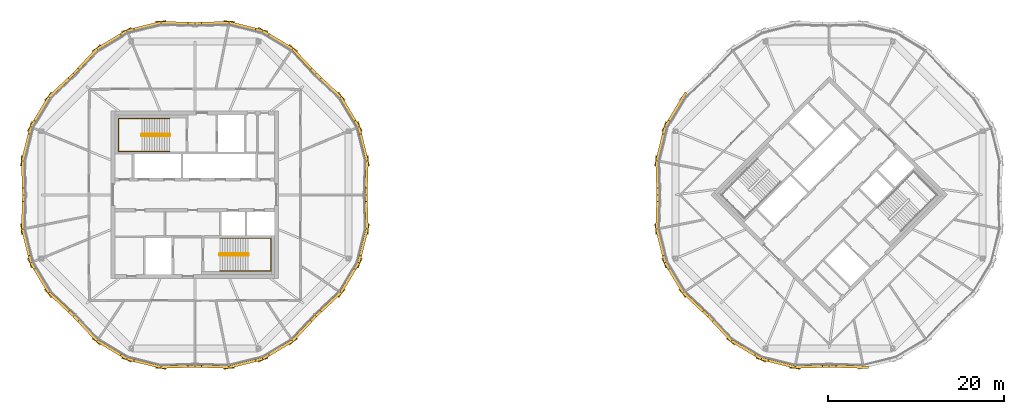
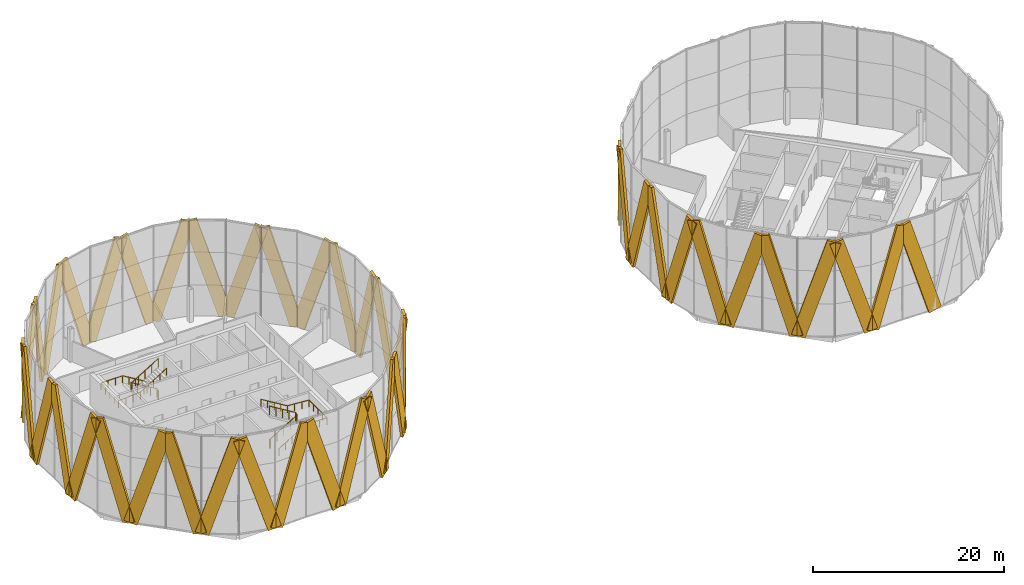
# One storey, part 22 of 23: 44 coverings, 4 railings.
"""IFC4 building model written with IfcOpenShell, lengths in metres."""

from ifc_helpers import new_model, si_unit, direction, frame, origin, origin_2d, place, context, subcontext, project, spatial, rectangle, circle, extrude, material, material_profile, profile_set, type_object, element, save


model = new_model("IFC4")

# Units and contexts
model_context = context("Model", 3, precision=1e-05, world=origin(), true_north=direction((0.0, 1.0)))
body_context = subcontext(model_context, "Body", "Model", "MODEL_VIEW")
ifc_project = project(units=[si_unit("LENGTHUNIT", "METRE"), si_unit("AREAUNIT", "SQUARE_METRE"), si_unit("VOLUMEUNIT", "CUBIC_METRE"), si_unit("PLANEANGLEUNIT", "RADIAN"), si_unit("MASSUNIT", "GRAM", prefix="KILO")], contexts=[model_context])

# Site, building, storey
site_placement = place(None, origin())
site = spatial("IfcSite", under=ifc_project, at=site_placement, CompositionType="ELEMENT")
building_placement = place(site_placement, origin())
building = spatial("IfcBuilding", under=site, at=building_placement, Name="Ogive Gate Towers", CompositionType="ELEMENT")
storey_placement = place(building_placement, frame((0.0, 0.0, 256.199951171875)))
storey = spatial("IfcBuildingStorey", under=building, at=storey_placement, Name="L60", CompositionType="ELEMENT", Elevation=256.199951171875)

# Coverings
ifc_material_1 = material(Name="Pale metal aluminium", Category="aluminium")
ifc_material_profile = material_profile(ifc_material_1, rectangle(XDim=0.300048828125, YDim=1.5, at=origin_2d()), Name="1500 x 300 pale metal aluminium")
ifc_profile_set = profile_set([ifc_material_profile], Name="Pale metal aluminium")
covering_type = type_object("IfcCoveringType", Name="Facade fin 1500 x 300", PredefinedType="CLADDING", material=ifc_profile_set)
covering_1_placement = place(storey_placement, frame((-16.448486328125, 3.759521484375, -0.02978515625), z_axis=(-0.009463680043, -0.293257962567, 0.955986509398), x_axis=(0.99947970287, -0.032254047034, 0.0)))
element("IfcCovering", 1, at=covering_1_placement, inside=storey, type_object=covering_type, Name="Facade fin", PredefinedType="CLADDING", context=body_context, shape_type="SweptSolid", body=[
    extrude(rectangle(XDim=0.300048828125, YDim=1.5, at=origin_2d()), origin(), (0.0, 0.0, 1.0), 12.614990234375),
])
for number, where, z_axis, x_axis, name in (
    (2, (-16.4697265625, 3.957275390625, -0.02685546875), (-0.071605059781, 0.288798695064, 0.954708347687), (-0.970610891507, -0.240654310763, 0.0), "Facade fin"),
    (3, (-19.391845703125, 11.01171875, -0.02685546875), (0.153593798396, -0.254842335272, 0.954706409975), (0.856470551923, 0.516195886935, 0.0), "Facade fin"),
):
    element("IfcCovering", number, at=place(storey_placement, frame(where, z_axis=z_axis, x_axis=x_axis)), inside=storey, type_object=covering_type, Name=name, PredefinedType="CLADDING", context=body_context, shape_type="SweptSolid", body=[
        extrude(rectangle(XDim=0.300048828125, YDim=1.5, at=origin_2d()), origin(), (0.0, 0.0, 1.0), 12.62548828125),
    ])
for number, where, z_axis, x_axis, name in (
    (4, (-19.5166015625, 11.166748046875, -0.02978515625), (-0.214046948977, 0.200654499728, 0.955992508011), (-0.68391479769, -0.729561888739, 0.0), "Facade fin"),
    (5, (-24.833251953125, 16.4833984375, -0.02978515625), (0.200654499728, -0.214046948977, 0.955992508011), (0.729561888739, 0.68391479769, 0.0), "Facade fin"),
):
    element("IfcCovering", number, at=place(storey_placement, frame(where, z_axis=z_axis, x_axis=x_axis)), inside=storey, type_object=covering_type, Name=name, PredefinedType="CLADDING", context=body_context, shape_type="SweptSolid", body=[
        extrude(rectangle(XDim=0.300048828125, YDim=1.5, at=origin_2d()), origin(), (0.0, 0.0, 1.0), 12.614990234375),
    ])
for number, where, z_axis, x_axis, name in (
    (6, (-24.98828125, 16.608154296875, -0.02685546875), (-0.254842335272, 0.153593798396, 0.954706409975), (-0.516195886935, -0.856470551923, 0.0), "Facade fin"),
    (7, (-32.042724609375, 19.5302734375, -0.02685546875), (0.288798695064, -0.071605059781, 0.954708347687), (0.240654310763, 0.970610891507, 0.0), "Facade fin"),
):
    element("IfcCovering", number, at=place(storey_placement, frame(where, z_axis=z_axis, x_axis=x_axis)), inside=storey, type_object=covering_type, Name=name, PredefinedType="CLADDING", context=body_context, shape_type="SweptSolid", body=[
        extrude(rectangle(XDim=0.300048828125, YDim=1.5, at=origin_2d()), origin(), (0.0, 0.0, 1.0), 12.62548828125),
    ])
for number, where, z_axis, x_axis, name in (
    (8, (-32.240478515625, 19.551513671875, -0.02978515625), (-0.293257962567, -0.009463680043, 0.955986509398), (0.032254047034, -0.99947970287, 0.0), "Facade fin"),
    (9, (-39.759521484375, 19.551513671875, -0.02978515625), (0.293257962567, -0.009463680043, 0.955986509398), (0.032254047034, 0.99947970287, 0.0), "Facade fin"),
):
    element("IfcCovering", number, at=place(storey_placement, frame(where, z_axis=z_axis, x_axis=x_axis)), inside=storey, type_object=covering_type, Name=name, PredefinedType="CLADDING", context=body_context, shape_type="SweptSolid", body=[
        extrude(rectangle(XDim=0.300048828125, YDim=1.5, at=origin_2d()), origin(), (0.0, 0.0, 1.0), 12.614990234375),
    ])
for number, where, z_axis, x_axis, name in (
    (10, (-39.957275390625, 19.5302734375, -0.02685546875), (-0.288798695064, -0.071605059781, 0.954708347687), (0.240654310763, -0.970610891507, 0.0), "Facade fin"),
    (11, (-47.01171875, 16.608154296875, -0.02685546875), (0.254842335272, 0.153593798396, 0.954706409975), (-0.516195886935, 0.856470551923, 0.0), "Facade fin"),
):
    element("IfcCovering", number, at=place(storey_placement, frame(where, z_axis=z_axis, x_axis=x_axis)), inside=storey, type_object=covering_type, Name=name, PredefinedType="CLADDING", context=body_context, shape_type="SweptSolid", body=[
        extrude(rectangle(XDim=0.300048828125, YDim=1.5, at=origin_2d()), origin(), (0.0, 0.0, 1.0), 12.62548828125),
    ])
for number, where, z_axis, x_axis, name in (
    (12, (-47.166748046875, 16.4833984375, -0.02978515625), (-0.200654499728, -0.214046948977, 0.955992508011), (0.729561888739, -0.68391479769, 0.0), "Facade fin"),
    (13, (-52.4833984375, 11.166748046875, -0.02978515625), (0.214046948977, 0.200654499728, 0.955992508011), (-0.68391479769, 0.729561888739, 0.0), "Facade fin"),
):
    element("IfcCovering", number, at=place(storey_placement, frame(where, z_axis=z_axis, x_axis=x_axis)), inside=storey, type_object=covering_type, Name=name, PredefinedType="CLADDING", context=body_context, shape_type="SweptSolid", body=[
        extrude(rectangle(XDim=0.300048828125, YDim=1.5, at=origin_2d()), origin(), (0.0, 0.0, 1.0), 12.614990234375),
    ])
for number, where, z_axis, x_axis, name in (
    (14, (-52.608154296875, 11.01171875, -0.02685546875), (-0.153593798396, -0.254842335272, 0.954706409975), (0.856470551923, -0.516195886935, 0.0), "Facade fin"),
    (15, (-55.5302734375, 3.957275390625, -0.02685546875), (0.071605059781, 0.288798695064, 0.954708347687), (-0.970610891507, 0.240654310763, 0.0), "Facade fin"),
):
    element("IfcCovering", number, at=place(storey_placement, frame(where, z_axis=z_axis, x_axis=x_axis)), inside=storey, type_object=covering_type, Name=name, PredefinedType="CLADDING", context=body_context, shape_type="SweptSolid", body=[
        extrude(rectangle(XDim=0.300048828125, YDim=1.5, at=origin_2d()), origin(), (0.0, 0.0, 1.0), 12.62548828125),
    ])
for number, where, z_axis, x_axis, name in (
    (16, (-55.551513671875, 3.759521484375, -0.02978515625), (0.009463680043, -0.293257962567, 0.955986509398), (0.99947970287, 0.032254047034, 0.0), "Facade fin"),
    (17, (-55.551513671875, -3.759521484375, -0.02978515625), (0.009463680043, 0.293257962567, 0.955986509398), (-0.99947970287, 0.032254047034, 0.0), "Facade fin"),
):
    element("IfcCovering", number, at=place(storey_placement, frame(where, z_axis=z_axis, x_axis=x_axis)), inside=storey, type_object=covering_type, Name=name, PredefinedType="CLADDING", context=body_context, shape_type="SweptSolid", body=[
        extrude(rectangle(XDim=0.300048828125, YDim=1.5, at=origin_2d()), origin(), (0.0, 0.0, 1.0), 12.614990234375),
    ])
for number, where, z_axis, x_axis, name in (
    (18, (-55.5302734375, -3.957275390625, -0.02685546875), (0.071605059781, -0.288798695064, 0.954708347687), (0.970610891507, 0.240654310763, 0.0), "Facade fin"),
    (19, (-52.608154296875, -11.01171875, -0.02685546875), (-0.153593798396, 0.254842335272, 0.954706409975), (-0.856470551923, -0.516195886935, 0.0), "Facade fin"),
):
    element("IfcCovering", number, at=place(storey_placement, frame(where, z_axis=z_axis, x_axis=x_axis)), inside=storey, type_object=covering_type, Name=name, PredefinedType="CLADDING", context=body_context, shape_type="SweptSolid", body=[
        extrude(rectangle(XDim=0.300048828125, YDim=1.5, at=origin_2d()), origin(), (0.0, 0.0, 1.0), 12.62548828125),
    ])
for number, where, z_axis, x_axis, name in (
    (20, (-52.4833984375, -11.166748046875, -0.02978515625), (0.214046948977, -0.200654499728, 0.955992508011), (0.68391479769, 0.729561888739, 0.0), "Facade fin"),
    (21, (-47.166748046875, -16.4833984375, -0.02978515625), (-0.200654499728, 0.214046948977, 0.955992508011), (-0.729561888739, -0.68391479769, 0.0), "Facade fin"),
):
    element("IfcCovering", number, at=place(storey_placement, frame(where, z_axis=z_axis, x_axis=x_axis)), inside=storey, type_object=covering_type, Name=name, PredefinedType="CLADDING", context=body_context, shape_type="SweptSolid", body=[
        extrude(rectangle(XDim=0.300048828125, YDim=1.5, at=origin_2d()), origin(), (0.0, 0.0, 1.0), 12.614990234375),
    ])
for number, where, z_axis, x_axis, name in (
    (22, (-47.01171875, -16.608154296875, -0.02685546875), (0.254842335272, -0.153593798396, 0.954706409975), (0.516195886935, 0.856470551923, 0.0), "Facade fin"),
    (23, (-39.957275390625, -19.5302734375, -0.02685546875), (-0.288798695064, 0.071605059781, 0.954708347687), (-0.240654310763, -0.970610891507, 0.0), "Facade fin"),
):
    element("IfcCovering", number, at=place(storey_placement, frame(where, z_axis=z_axis, x_axis=x_axis)), inside=storey, type_object=covering_type, Name=name, PredefinedType="CLADDING", context=body_context, shape_type="SweptSolid", body=[
        extrude(rectangle(XDim=0.300048828125, YDim=1.5, at=origin_2d()), origin(), (0.0, 0.0, 1.0), 12.62548828125),
    ])
for number, where, z_axis, x_axis, name in (
    (24, (-39.759521484375, -19.551513671875, -0.02978515625), (0.293257962567, 0.009463680043, 0.955986509398), (-0.032254047034, 0.99947970287, 0.0), "Facade fin"),
    (25, (-32.240478515625, -19.551513671875, -0.02978515625), (-0.293257962567, 0.009463680043, 0.955986509398), (-0.032254047034, -0.99947970287, 0.0), "Facade fin"),
):
    element("IfcCovering", number, at=place(storey_placement, frame(where, z_axis=z_axis, x_axis=x_axis)), inside=storey, type_object=covering_type, Name=name, PredefinedType="CLADDING", context=body_context, shape_type="SweptSolid", body=[
        extrude(rectangle(XDim=0.300048828125, YDim=1.5, at=origin_2d()), origin(), (0.0, 0.0, 1.0), 12.614990234375),
    ])
for number, where, z_axis, x_axis, name in (
    (26, (-32.042724609375, -19.5302734375, -0.02685546875), (0.288798695064, 0.071605059781, 0.954708347687), (-0.240654310763, 0.970610891507, 0.0), "Facade fin"),
    (27, (-24.98828125, -16.608154296875, -0.02685546875), (-0.254842335272, -0.153593798396, 0.954706409975), (0.516195886935, -0.856470551923, 0.0), "Facade fin"),
):
    element("IfcCovering", number, at=place(storey_placement, frame(where, z_axis=z_axis, x_axis=x_axis)), inside=storey, type_object=covering_type, Name=name, PredefinedType="CLADDING", context=body_context, shape_type="SweptSolid", body=[
        extrude(rectangle(XDim=0.300048828125, YDim=1.5, at=origin_2d()), origin(), (0.0, 0.0, 1.0), 12.62548828125),
    ])
for number, where, z_axis, x_axis, name in (
    (28, (-24.833251953125, -16.4833984375, -0.02978515625), (0.200654499728, 0.214046948977, 0.955992508011), (-0.729561888739, 0.68391479769, 0.0), "Facade fin"),
    (29, (-19.5166015625, -11.166748046875, -0.02978515625), (-0.214046948977, -0.200654499728, 0.955992508011), (0.68391479769, -0.729561888739, 0.0), "Facade fin"),
):
    element("IfcCovering", number, at=place(storey_placement, frame(where, z_axis=z_axis, x_axis=x_axis)), inside=storey, type_object=covering_type, Name=name, PredefinedType="CLADDING", context=body_context, shape_type="SweptSolid", body=[
        extrude(rectangle(XDim=0.300048828125, YDim=1.5, at=origin_2d()), origin(), (0.0, 0.0, 1.0), 12.614990234375),
    ])
for number, where, z_axis, x_axis, name in (
    (30, (-19.391845703125, -11.01171875, -0.02685546875), (0.153593798396, 0.254842335272, 0.954706409975), (-0.856470551923, 0.516195886935, 0.0), "Facade fin"),
    (31, (-16.4697265625, -3.957275390625, -0.02685546875), (-0.071605059781, -0.288798695064, 0.954708347687), (0.970610891507, -0.240654310763, 0.0), "Facade fin"),
):
    element("IfcCovering", number, at=place(storey_placement, frame(where, z_axis=z_axis, x_axis=x_axis)), inside=storey, type_object=covering_type, Name=name, PredefinedType="CLADDING", context=body_context, shape_type="SweptSolid", body=[
        extrude(rectangle(XDim=0.300048828125, YDim=1.5, at=origin_2d()), origin(), (0.0, 0.0, 1.0), 12.62548828125),
    ])
covering_2_placement = place(storey_placement, frame((-16.448486328125, -3.759521484375, -0.02978515625), z_axis=(-0.009463680043, 0.293257962567, 0.955986509398), x_axis=(-0.99947970287, -0.032254047034, 0.0)))
element("IfcCovering", 32, at=covering_2_placement, inside=storey, type_object=covering_type, Name="Facade fin", PredefinedType="CLADDING", context=body_context, shape_type="SweptSolid", body=[
    extrude(rectangle(XDim=0.300048828125, YDim=1.5, at=origin_2d()), origin(), (0.0, 0.0, 1.0), 12.614990234375),
])
for number, where, z_axis, x_axis, name in (
    (33, (19.391845703125, 11.01171875, -0.02685546875), (-0.153593798396, -0.254842335272, 0.954706409975), (0.856470551923, -0.516195886935, 0.0), "Facade fin"),
    (34, (16.4697265625, 3.957275390625, -0.02685546875), (0.071605059781, 0.288798695064, 0.954708347687), (-0.970610891507, 0.240654310763, 0.0), "Facade fin"),
):
    element("IfcCovering", number, at=place(storey_placement, frame(where, z_axis=z_axis, x_axis=x_axis)), inside=storey, type_object=covering_type, Name=name, PredefinedType="CLADDING", context=body_context, shape_type="SweptSolid", body=[
        extrude(rectangle(XDim=0.300048828125, YDim=1.5, at=origin_2d()), origin(), (0.0, 0.0, 1.0), 12.62548828125),
    ])
for number, where, z_axis, x_axis, name in (
    (35, (16.448486328125, 3.759521484375, -0.02978515625), (0.009463680043, -0.293257962567, 0.955986509398), (0.99947970287, 0.032254047034, 0.0), "Facade fin"),
    (36, (16.448486328125, -3.759521484375, -0.02978515625), (0.009463680043, 0.293257962567, 0.955986509398), (-0.99947970287, 0.032254047034, 0.0), "Facade fin"),
):
    element("IfcCovering", number, at=place(storey_placement, frame(where, z_axis=z_axis, x_axis=x_axis)), inside=storey, type_object=covering_type, Name=name, PredefinedType="CLADDING", context=body_context, shape_type="SweptSolid", body=[
        extrude(rectangle(XDim=0.300048828125, YDim=1.5, at=origin_2d()), origin(), (0.0, 0.0, 1.0), 12.614990234375),
    ])
for number, where, z_axis, x_axis, name in (
    (37, (16.4697265625, -3.957275390625, -0.02685546875), (0.071605059781, -0.288798695064, 0.954708347687), (0.970610891507, 0.240654310763, 0.0), "Facade fin"),
    (38, (19.391845703125, -11.01171875, -0.02685546875), (-0.153593798396, 0.254842335272, 0.954706409975), (-0.856470551923, -0.516195886935, 0.0), "Facade fin"),
):
    element("IfcCovering", number, at=place(storey_placement, frame(where, z_axis=z_axis, x_axis=x_axis)), inside=storey, type_object=covering_type, Name=name, PredefinedType="CLADDING", context=body_context, shape_type="SweptSolid", body=[
        extrude(rectangle(XDim=0.300048828125, YDim=1.5, at=origin_2d()), origin(), (0.0, 0.0, 1.0), 12.62548828125),
    ])
for number, where, z_axis, x_axis, name in (
    (39, (19.5166015625, -11.166748046875, -0.02978515625), (0.214046948977, -0.200654499728, 0.955992508011), (0.68391479769, 0.729561888739, 0.0), "Facade fin"),
    (40, (24.833251953125, -16.4833984375, -0.02978515625), (-0.200654499728, 0.214046948977, 0.955992508011), (-0.729561888739, -0.68391479769, 0.0), "Facade fin"),
):
    element("IfcCovering", number, at=place(storey_placement, frame(where, z_axis=z_axis, x_axis=x_axis)), inside=storey, type_object=covering_type, Name=name, PredefinedType="CLADDING", context=body_context, shape_type="SweptSolid", body=[
        extrude(rectangle(XDim=0.300048828125, YDim=1.5, at=origin_2d()), origin(), (0.0, 0.0, 1.0), 12.614990234375),
    ])
for number, where, z_axis, x_axis, name in (
    (41, (24.98828125, -16.608154296875, -0.02685546875), (0.254842335272, -0.153593798396, 0.954706409975), (0.516195886935, 0.856470551923, 0.0), "Facade fin"),
    (42, (32.042724609375, -19.5302734375, -0.02685546875), (-0.288798695064, 0.071605059781, 0.954708347687), (-0.240654310763, -0.970610891507, 0.0), "Facade fin"),
):
    element("IfcCovering", number, at=place(storey_placement, frame(where, z_axis=z_axis, x_axis=x_axis)), inside=storey, type_object=covering_type, Name=name, PredefinedType="CLADDING", context=body_context, shape_type="SweptSolid", body=[
        extrude(rectangle(XDim=0.300048828125, YDim=1.5, at=origin_2d()), origin(), (0.0, 0.0, 1.0), 12.62548828125),
    ])
for number, where, z_axis, x_axis, name in (
    (43, (32.240478515625, -19.551513671875, -0.02978515625), (0.293257962567, 0.009463680043, 0.955986509398), (-0.032254047034, 0.99947970287, 0.0), "Facade fin"),
    (44, (39.759521484375, -19.551513671875, -0.02978515625), (-0.293257962567, 0.009463680043, 0.955986509398), (-0.032254047034, -0.99947970287, 0.0), "Facade fin"),
):
    element("IfcCovering", number, at=place(storey_placement, frame(where, z_axis=z_axis, x_axis=x_axis)), inside=storey, type_object=covering_type, Name=name, PredefinedType="CLADDING", context=body_context, shape_type="SweptSolid", body=[
        extrude(rectangle(XDim=0.300048828125, YDim=1.5, at=origin_2d()), origin(), (0.0, 0.0, 1.0), 12.614990234375),
    ])

# Railings
ifc_material_2 = material(Name="Stainless steel", Category="steel")
railing_type_1 = type_object("IfcRailingType", Name="Stair guard 1100", PredefinedType="GUARDRAIL", material=ifc_material_2)
railing_1_placement = place(storey_placement, frame((-38.81494140625, 6.860107421875, 0.0)))
element("IfcRailing", 45, at=railing_1_placement, inside=storey, type_object=railing_type_1, Name="L60 ST1 stair guard 1", PredefinedType="GUARDRAIL", context=body_context, shape_type="SweptSolid", body=[
    extrude(circle(Radius=0.02392578125, at=origin_2d()), frame((0.0, 0.0, 1.076171875), z_axis=(0.0, -1.0, 0.0), x_axis=(1.0, 0.0, 0.0)), (0.0, 0.0, 1.0), 0.14501953125),
    extrude(circle(Radius=0.02392578125, at=origin_2d()), frame((0.0, -0.14501953125, 1.076171875), z_axis=(-0.187693211448, 0.730630159683, 0.656468451746), x_axis=(-0.968551454522, -0.24881334358, 0.0)), (0.0, 0.0, 1.0), 0.2666015625),
    extrude(circle(Radius=0.02392578125, at=origin_2d()), frame((-0.050048828125, 0.0498046875, 1.2509765625), z_axis=(-0.854199828955, 0.0, 0.519944854973), x_axis=(0.0, -1.0, 0.0)), (0.0, 0.0, 1.0), 3.702392578125),
    extrude(circle(Radius=0.02392578125, at=origin_2d()), frame((-3.212646484375, 0.0498046875, 3.17626953125), z_axis=(-0.707106781187, -0.707106781187, 0.0), x_axis=(0.707106781187, -0.707106781187, 0.0)), (0.0, 0.0, 1.0), 0.0703125),
    extrude(circle(Radius=0.02392578125, at=origin_2d()), frame((-3.262451171875, 0.0, 3.17626953125), z_axis=(0.0, -1.0, 0.0), x_axis=(1.0, 0.0, 0.0)), (0.0, 0.0, 1.0), 0.14501953125),
    extrude(circle(Radius=0.02392578125, at=origin_2d()), frame((-3.262451171875, -0.14501953125, 3.17626953125), z_axis=(0.263862480399, -0.265155923931, 0.927399011991), x_axis=(0.708833529934, 0.705375805398, 0.0)), (0.0, 0.0, 1.0), 0.188720703125),
    extrude(circle(Radius=0.02392578125, at=origin_2d()), frame((-3.212646484375, -0.195068359375, 3.35107421875), z_axis=(0.854229115434, 0.0, 0.519896738156), x_axis=(0.0, 1.0, 0.0)), (0.0, 0.0, 1.0), 3.702392578125),
    extrude(circle(Radius=0.02099609375, at=origin_2d()), origin(), (0.0, 0.0, 1.0), 1.052001953125),
    extrude(circle(Radius=0.02099609375, at=origin_2d()), frame((0.0, -0.14501953125, 0.0)), (0.0, 0.0, 1.0), 1.052001953125),
    extrude(circle(Radius=0.02099609375, at=origin_2d()), frame((-0.050048828125, 0.0498046875, 0.175048828125)), (0.0, 0.0, 1.0), 1.052001953125),
    extrude(circle(Radius=0.02099609375, at=origin_2d()), frame((-0.8408203125, 0.0498046875, 0.65625)), (0.0, 0.0, 1.0), 1.052001953125),
    extrude(circle(Radius=0.02099609375, at=origin_2d()), frame((-1.63134765625, 0.0498046875, 1.1376953125)), (0.0, 0.0, 1.0), 1.052001953125),
    extrude(circle(Radius=0.02099609375, at=origin_2d()), frame((-2.421875, 0.0498046875, 1.618896484375)), (0.0, 0.0, 1.0), 1.052001953125),
    extrude(circle(Radius=0.02099609375, at=origin_2d()), frame((-3.212646484375, 0.0498046875, 2.10009765625)), (0.0, 0.0, 1.0), 1.052001953125),
    extrude(circle(Radius=0.02099609375, at=origin_2d()), frame((-3.262451171875, 0.0, 2.10009765625)), (0.0, 0.0, 1.0), 1.052001953125),
    extrude(circle(Radius=0.02099609375, at=origin_2d()), frame((-3.262451171875, -0.14501953125, 2.10009765625)), (0.0, 0.0, 1.0), 1.052001953125),
    extrude(circle(Radius=0.02099609375, at=origin_2d()), frame((-3.212646484375, -0.195068359375, 2.275146484375)), (0.0, 0.0, 1.0), 1.052001953125),
    extrude(circle(Radius=0.02099609375, at=origin_2d()), frame((-2.421875, -0.195068359375, 2.75634765625)), (0.0, 0.0, 1.0), 1.052001953125),
    extrude(circle(Radius=0.02099609375, at=origin_2d()), frame((-1.63134765625, -0.195068359375, 3.237548828125)), (0.0, 0.0, 1.0), 1.052001953125),
    extrude(circle(Radius=0.02099609375, at=origin_2d()), frame((-0.8408203125, -0.195068359375, 3.71875)), (0.0, 0.0, 1.0), 1.052001953125),
    extrude(circle(Radius=0.02099609375, at=origin_2d()), frame((-0.050048828125, -0.195068359375, 4.199951171875)), (0.0, 0.0, 1.0), 1.052001953125),
])
railing_2_placement = place(storey_placement, frame((-33.18505859375, -6.860107421875, 0.0)))
element("IfcRailing", 46, at=railing_2_placement, inside=storey, type_object=railing_type_1, Name="L60 ST2 stair guard 1", PredefinedType="GUARDRAIL", context=body_context, shape_type="SweptSolid", body=[
    extrude(circle(Radius=0.02392578125, at=origin_2d()), frame((0.0, 0.0, 1.076171875), z_axis=(0.0, 1.0, 0.0), x_axis=(-1.0, 0.0, 0.0)), (0.0, 0.0, 1.0), 0.14501953125),
    extrude(circle(Radius=0.02392578125, at=origin_2d()), frame((0.0, 0.14501953125, 1.076171875), z_axis=(0.187693211448, -0.730630159683, 0.656468451746), x_axis=(0.968551454522, 0.24881334358, 0.0)), (0.0, 0.0, 1.0), 0.2666015625),
    extrude(circle(Radius=0.02392578125, at=origin_2d()), frame((0.050048828125, -0.0498046875, 1.2509765625), z_axis=(0.854199828955, 0.0, 0.519944854973), x_axis=(0.0, 1.0, 0.0)), (0.0, 0.0, 1.0), 3.702392578125),
    extrude(circle(Radius=0.02392578125, at=origin_2d()), frame((3.212646484375, -0.0498046875, 3.17626953125), z_axis=(0.707106781187, 0.707106781187, 0.0), x_axis=(-0.707106781187, 0.707106781187, 0.0)), (0.0, 0.0, 1.0), 0.0703125),
    extrude(circle(Radius=0.02392578125, at=origin_2d()), frame((3.262451171875, 0.0, 3.17626953125), z_axis=(0.0, 1.0, 0.0), x_axis=(-1.0, 0.0, 0.0)), (0.0, 0.0, 1.0), 0.14501953125),
    extrude(circle(Radius=0.02392578125, at=origin_2d()), frame((3.262451171875, 0.14501953125, 3.17626953125), z_axis=(-0.263862480399, 0.265155923931, 0.927399011991), x_axis=(-0.708833529934, -0.705375805398, 0.0)), (0.0, 0.0, 1.0), 0.188720703125),
    extrude(circle(Radius=0.02392578125, at=origin_2d()), frame((3.212646484375, 0.195068359375, 3.35107421875), z_axis=(-0.854229115434, 0.0, 0.519896738156), x_axis=(0.0, -1.0, 0.0)), (0.0, 0.0, 1.0), 3.702392578125),
    extrude(circle(Radius=0.02099609375, at=origin_2d()), origin(), (0.0, 0.0, 1.0), 1.052001953125),
    extrude(circle(Radius=0.02099609375, at=origin_2d()), frame((0.0, 0.14501953125, 0.0)), (0.0, 0.0, 1.0), 1.052001953125),
    extrude(circle(Radius=0.02099609375, at=origin_2d()), frame((0.050048828125, -0.0498046875, 0.175048828125)), (0.0, 0.0, 1.0), 1.052001953125),
    extrude(circle(Radius=0.02099609375, at=origin_2d()), frame((0.8408203125, -0.0498046875, 0.65625)), (0.0, 0.0, 1.0), 1.052001953125),
    extrude(circle(Radius=0.02099609375, at=origin_2d()), frame((1.63134765625, -0.0498046875, 1.1376953125)), (0.0, 0.0, 1.0), 1.052001953125),
    extrude(circle(Radius=0.02099609375, at=origin_2d()), frame((2.421875, -0.0498046875, 1.618896484375)), (0.0, 0.0, 1.0), 1.052001953125),
    extrude(circle(Radius=0.02099609375, at=origin_2d()), frame((3.212646484375, -0.0498046875, 2.10009765625)), (0.0, 0.0, 1.0), 1.052001953125),
    extrude(circle(Radius=0.02099609375, at=origin_2d()), frame((3.262451171875, 0.0, 2.10009765625)), (0.0, 0.0, 1.0), 1.052001953125),
    extrude(circle(Radius=0.02099609375, at=origin_2d()), frame((3.262451171875, 0.14501953125, 2.10009765625)), (0.0, 0.0, 1.0), 1.052001953125),
    extrude(circle(Radius=0.02099609375, at=origin_2d()), frame((3.212646484375, 0.195068359375, 2.275146484375)), (0.0, 0.0, 1.0), 1.052001953125),
    extrude(circle(Radius=0.02099609375, at=origin_2d()), frame((2.421875, 0.195068359375, 2.75634765625)), (0.0, 0.0, 1.0), 1.052001953125),
    extrude(circle(Radius=0.02099609375, at=origin_2d()), frame((1.63134765625, 0.195068359375, 3.237548828125)), (0.0, 0.0, 1.0), 1.052001953125),
    extrude(circle(Radius=0.02099609375, at=origin_2d()), frame((0.8408203125, 0.195068359375, 3.71875)), (0.0, 0.0, 1.0), 1.052001953125),
    extrude(circle(Radius=0.02099609375, at=origin_2d()), frame((0.050048828125, 0.195068359375, 4.199951171875)), (0.0, 0.0, 1.0), 1.052001953125),
])
railing_type_2 = type_object("IfcRailingType", Name="Stair handrail 900", PredefinedType="HANDRAIL", material=ifc_material_2)
railing_3_placement = place(storey_placement, frame((-38.864990234375, 8.64990234375, 0.175048828125)))
element("IfcRailing", 47, at=railing_3_placement, inside=storey, type_object=railing_type_2, Name="L60 ST1 stair handrail 1", PredefinedType="HANDRAIL", context=body_context, shape_type="SweptSolid", body=[
    extrude(circle(Radius=0.02392578125, at=origin_2d()), frame((0.0, 0.0, 0.8759765625), z_axis=(-0.854199828955, 0.0, 0.519944854973), x_axis=(0.0, -1.0, 0.0)), (0.0, 0.0, 1.0), 3.702392578125),
    extrude(circle(Radius=0.02392578125, at=origin_2d()), frame((-3.16259765625, 0.0, 2.80078125), z_axis=(-1.0, 0.0, 0.0), x_axis=(0.0, -1.0, 0.0)), (0.0, 0.0, 1.0), 2.622314453125),
    extrude(circle(Radius=0.02392578125, at=origin_2d()), frame((-5.784912109375, 0.0, 2.80078125), z_axis=(0.0, -1.0, 0.0), x_axis=(1.0, 0.0, 0.0)), (0.0, 0.0, 1.0), 3.724853515625),
    extrude(circle(Radius=0.02392578125, at=origin_2d()), frame((-5.784912109375, -3.724853515625, 2.80078125), z_axis=(0.997779399599, 0.0, 0.066605328136), x_axis=(0.0, 1.0, 0.0)), (0.0, 0.0, 1.0), 2.628173828125),
    extrude(circle(Radius=0.02392578125, at=origin_2d()), frame((-3.16259765625, -3.724853515625, 2.97607421875), z_axis=(0.854229115434, 0.0, 0.519896738156), x_axis=(0.0, 1.0, 0.0)), (0.0, 0.0, 1.0), 3.702392578125),
    extrude(circle(Radius=0.02099609375, at=origin_2d()), origin(), (0.0, 0.0, 1.0), 0.851806640625),
    extrude(circle(Radius=0.02099609375, at=origin_2d()), frame((-0.79052734375, 0.0, 0.481201171875)), (0.0, 0.0, 1.0), 0.851806640625),
    extrude(circle(Radius=0.02099609375, at=origin_2d()), frame((-1.581298828125, 0.0, 0.96240234375)), (0.0, 0.0, 1.0), 0.851806640625),
    extrude(circle(Radius=0.02099609375, at=origin_2d()), frame((-2.3720703125, 0.0, 1.44384765625)), (0.0, 0.0, 1.0), 0.851806640625),
    extrude(circle(Radius=0.02099609375, at=origin_2d()), frame((-3.16259765625, 0.0, 1.925048828125)), (0.0, 0.0, 1.0), 0.851806640625),
    extrude(circle(Radius=0.02099609375, at=origin_2d()), frame((-4.03662109375, 0.0, 1.925048828125)), (0.0, 0.0, 1.0), 0.851806640625),
    extrude(circle(Radius=0.02099609375, at=origin_2d()), frame((-4.910888671875, 0.0, 1.925048828125)), (0.0, 0.0, 1.0), 0.851806640625),
    extrude(circle(Radius=0.02099609375, at=origin_2d()), frame((-5.784912109375, 0.0, 1.925048828125)), (0.0, 0.0, 1.0), 0.851806640625),
    extrude(circle(Radius=0.02099609375, at=origin_2d()), frame((-5.784912109375, -0.93115234375, 1.925048828125)), (0.0, 0.0, 1.0), 0.851806640625),
    extrude(circle(Radius=0.02099609375, at=origin_2d()), frame((-5.784912109375, -1.8623046875, 1.925048828125)), (0.0, 0.0, 1.0), 0.851806640625),
    extrude(circle(Radius=0.02099609375, at=origin_2d()), frame((-5.784912109375, -2.793701171875, 1.925048828125)), (0.0, 0.0, 1.0), 0.851806640625),
    extrude(circle(Radius=0.02099609375, at=origin_2d()), frame((-5.784912109375, -3.724853515625, 1.925048828125)), (0.0, 0.0, 1.0), 0.851806640625),
    extrude(circle(Radius=0.02099609375, at=origin_2d()), frame((-4.910888671875, -3.724853515625, 1.9833984375)), (0.0, 0.0, 1.0), 0.851806640625),
    extrude(circle(Radius=0.02099609375, at=origin_2d()), frame((-4.03662109375, -3.724853515625, 2.041748046875)), (0.0, 0.0, 1.0), 0.851806640625),
    extrude(circle(Radius=0.02099609375, at=origin_2d()), frame((-3.16259765625, -3.724853515625, 2.10009765625)), (0.0, 0.0, 1.0), 0.851806640625),
    extrude(circle(Radius=0.02099609375, at=origin_2d()), frame((-2.3720703125, -3.724853515625, 2.581298828125)), (0.0, 0.0, 1.0), 0.851806640625),
    extrude(circle(Radius=0.02099609375, at=origin_2d()), frame((-1.581298828125, -3.724853515625, 3.0625)), (0.0, 0.0, 1.0), 0.851806640625),
    extrude(circle(Radius=0.02099609375, at=origin_2d()), frame((-0.79052734375, -3.724853515625, 3.543701171875)), (0.0, 0.0, 1.0), 0.851806640625),
    extrude(circle(Radius=0.02099609375, at=origin_2d()), frame((0.0, -3.724853515625, 4.02490234375)), (0.0, 0.0, 1.0), 0.851806640625),
])
railing_4_placement = place(storey_placement, frame((-33.135009765625, -8.64990234375, 0.175048828125)))
element("IfcRailing", 48, at=railing_4_placement, inside=storey, type_object=railing_type_2, Name="L60 ST2 stair handrail 1", PredefinedType="HANDRAIL", context=body_context, shape_type="SweptSolid", body=[
    extrude(circle(Radius=0.02392578125, at=origin_2d()), frame((0.0, 0.0, 0.8759765625), z_axis=(0.854199828955, 0.0, 0.519944854973), x_axis=(0.0, 1.0, 0.0)), (0.0, 0.0, 1.0), 3.702392578125),
    extrude(circle(Radius=0.02392578125, at=origin_2d()), frame((3.16259765625, 0.0, 2.80078125), z_axis=(1.0, 0.0, 0.0), x_axis=(0.0, 1.0, 0.0)), (0.0, 0.0, 1.0), 2.622314453125),
    extrude(circle(Radius=0.02392578125, at=origin_2d()), frame((5.784912109375, 0.0, 2.80078125), z_axis=(0.0, 1.0, 0.0), x_axis=(-1.0, 0.0, 0.0)), (0.0, 0.0, 1.0), 3.724853515625),
    extrude(circle(Radius=0.02392578125, at=origin_2d()), frame((5.784912109375, 3.724853515625, 2.80078125), z_axis=(-0.997779399599, 0.0, 0.066605328136), x_axis=(0.0, -1.0, 0.0)), (0.0, 0.0, 1.0), 2.628173828125),
    extrude(circle(Radius=0.02392578125, at=origin_2d()), frame((3.16259765625, 3.724853515625, 2.97607421875), z_axis=(-0.854229115434, 0.0, 0.519896738156), x_axis=(0.0, -1.0, 0.0)), (0.0, 0.0, 1.0), 3.702392578125),
    extrude(circle(Radius=0.02099609375, at=origin_2d()), origin(), (0.0, 0.0, 1.0), 0.851806640625),
    extrude(circle(Radius=0.02099609375, at=origin_2d()), frame((0.79052734375, 0.0, 0.481201171875)), (0.0, 0.0, 1.0), 0.851806640625),
    extrude(circle(Radius=0.02099609375, at=origin_2d()), frame((1.581298828125, 0.0, 0.96240234375)), (0.0, 0.0, 1.0), 0.851806640625),
    extrude(circle(Radius=0.02099609375, at=origin_2d()), frame((2.3720703125, 0.0, 1.44384765625)), (0.0, 0.0, 1.0), 0.851806640625),
    extrude(circle(Radius=0.02099609375, at=origin_2d()), frame((3.16259765625, 0.0, 1.925048828125)), (0.0, 0.0, 1.0), 0.851806640625),
    extrude(circle(Radius=0.02099609375, at=origin_2d()), frame((4.03662109375, 0.0, 1.925048828125)), (0.0, 0.0, 1.0), 0.851806640625),
    extrude(circle(Radius=0.02099609375, at=origin_2d()), frame((4.910888671875, 0.0, 1.925048828125)), (0.0, 0.0, 1.0), 0.851806640625),
    extrude(circle(Radius=0.02099609375, at=origin_2d()), frame((5.784912109375, 0.0, 1.925048828125)), (0.0, 0.0, 1.0), 0.851806640625),
    extrude(circle(Radius=0.02099609375, at=origin_2d()), frame((5.784912109375, 0.93115234375, 1.925048828125)), (0.0, 0.0, 1.0), 0.851806640625),
    extrude(circle(Radius=0.02099609375, at=origin_2d()), frame((5.784912109375, 1.8623046875, 1.925048828125)), (0.0, 0.0, 1.0), 0.851806640625),
    extrude(circle(Radius=0.02099609375, at=origin_2d()), frame((5.784912109375, 2.793701171875, 1.925048828125)), (0.0, 0.0, 1.0), 0.851806640625),
    extrude(circle(Radius=0.02099609375, at=origin_2d()), frame((5.784912109375, 3.724853515625, 1.925048828125)), (0.0, 0.0, 1.0), 0.851806640625),
    extrude(circle(Radius=0.02099609375, at=origin_2d()), frame((4.910888671875, 3.724853515625, 1.9833984375)), (0.0, 0.0, 1.0), 0.851806640625),
    extrude(circle(Radius=0.02099609375, at=origin_2d()), frame((4.03662109375, 3.724853515625, 2.041748046875)), (0.0, 0.0, 1.0), 0.851806640625),
    extrude(circle(Radius=0.02099609375, at=origin_2d()), frame((3.16259765625, 3.724853515625, 2.10009765625)), (0.0, 0.0, 1.0), 0.851806640625),
    extrude(circle(Radius=0.02099609375, at=origin_2d()), frame((2.3720703125, 3.724853515625, 2.581298828125)), (0.0, 0.0, 1.0), 0.851806640625),
    extrude(circle(Radius=0.02099609375, at=origin_2d()), frame((1.581298828125, 3.724853515625, 3.0625)), (0.0, 0.0, 1.0), 0.851806640625),
    extrude(circle(Radius=0.02099609375, at=origin_2d()), frame((0.79052734375, 3.724853515625, 3.543701171875)), (0.0, 0.0, 1.0), 0.851806640625),
    extrude(circle(Radius=0.02099609375, at=origin_2d()), frame((0.0, 3.724853515625, 4.02490234375)), (0.0, 0.0, 1.0), 0.851806640625),
])

save(model, "model.ifc")
